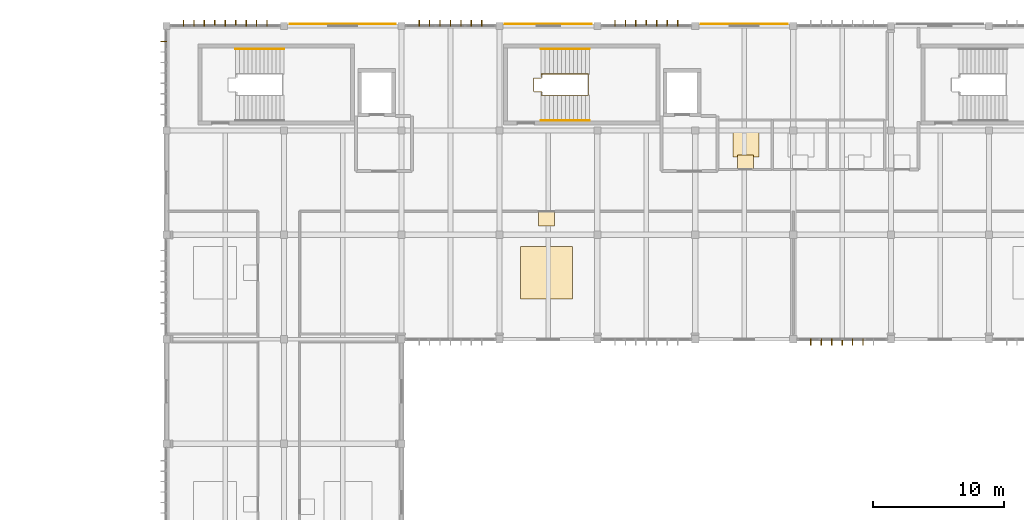
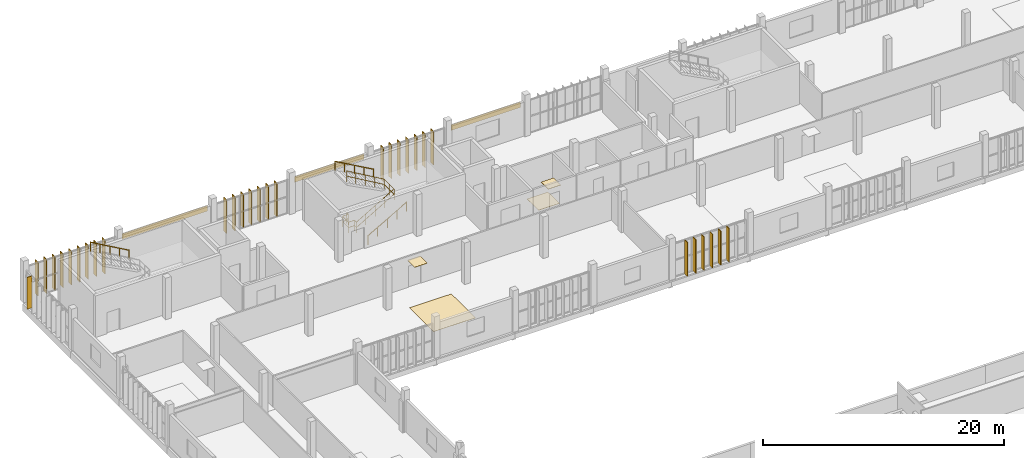
# One storey, part 55 of 61: 30 shading devices, 7 coverings, 5 railings.
"""IFC4 building model written with IfcOpenShell, lengths in metres."""

import ifcopenshell
import ifcopenshell.guid

model = None  # the IFC model being written
_history = None  # IfcOwnerHistory: only IFC2X3 demands one
_inside = {}  # id of a spatial element -> (the spatial element, [elements in it])
_under = {}  # id of a project, library or spatial element -> (it, [spatial elements below it])
_declared = {}  # id of a project -> (the project, [libraries it declares])
_typed = {}  # id of a type object -> (the type object, [elements of that type])
_made_of = {}  # id of a material, layer set ... -> (it, [elements and type objects made of it])


def new_model(schema):
    """Start an empty IFC model of exactly this schema.

    Asked for "IFC4X3", IfcOpenShell would pick the latest addendum, in which some entities
    have other attributes; the version numbers below select the first issue.
    IFC2X3 requires an IfcOwnerHistory on every rooted entity: one is made here for all.
    """
    global model, _history
    if schema == "IFC4X3":
        model = ifcopenshell.file(schema_version=(4, 3, 0, 0))
    else:
        model = ifcopenshell.file(schema=schema)
    _inside.clear()
    _under.clear()
    _declared.clear()
    _typed.clear()
    _made_of.clear()
    _history = None
    if model.schema == "IFC2X3":
        org = make("IfcOrganization", Name="unknown")
        user = make(
            "IfcPersonAndOrganization",
            ThePerson=make("IfcPerson", FamilyName="unknown"),
            TheOrganization=org,
        )
        app = make(
            "IfcApplication",
            ApplicationDeveloper=org,
            Version="unknown",
            ApplicationFullName="unknown",
            ApplicationIdentifier="unknown",
        )
        _history = make(
            "IfcOwnerHistory",
            OwningUser=user,
            OwningApplication=app,
            ChangeAction="ADDED",
            CreationDate=0,
        )
    return model


def make(cls, **values):
    """One entity of the class cls with the attributes given. An attribute that is None is left unset."""
    return model.create_entity(
        cls, **{name: value for name, value in values.items() if value is not None}
    )


def rooted(cls, **values):
    """An entity with a GlobalId (a new one), such as an element, a storey or a relation."""
    return make(cls, GlobalId=ifcopenshell.guid.new(), OwnerHistory=_history, **values)


def si_unit(unit_type, name, prefix=None):
    """IfcSIUnit, for example si_unit("LENGTHUNIT", "METRE", prefix="MILLI")."""
    return make("IfcSIUnit", UnitType=unit_type, Prefix=prefix, Name=name)


def assignment(units):
    """IfcUnitAssignment: the units of a project."""
    return None if units is None else make("IfcUnitAssignment", Units=units)


def point(xyz):
    """IfcCartesianPoint."""
    return None if xyz is None else make("IfcCartesianPoint", Coordinates=xyz)


def direction(xyz):
    """IfcDirection."""
    return None if xyz is None else make("IfcDirection", DirectionRatios=xyz)


def frame(location, z_axis=None, x_axis=None):
    """IfcAxis2Placement3D, a coordinate frame: its origin and axes. An axis left out is left unset."""
    return make(
        "IfcAxis2Placement3D",
        Location=point(location),
        Axis=direction(z_axis),
        RefDirection=direction(x_axis),
    )


def frame_2d(location, x_axis=None):
    """IfcAxis2Placement2D, a coordinate frame in the plane: its origin and x axis."""
    return make(
        "IfcAxis2Placement2D", Location=point(location), RefDirection=direction(x_axis)
    )


def origin():
    """The frame at (0, 0, 0) with its axes left unset."""
    return frame((0.0, 0.0, 0.0))


def origin_2d():
    """The frame at (0, 0) in the plane with its x axis left unset."""
    return frame_2d((0.0, 0.0))


def place(relative_to, where):
    """IfcLocalPlacement: puts the frame where relative to a parent placement (None: the world)."""
    return make(
        "IfcLocalPlacement", PlacementRelTo=relative_to, RelativePlacement=where
    )


def context(
    kind, dimensions, precision=None, world=None, true_north=None, identifier=None
):
    """IfcGeometricRepresentationContext, for example the 3D "Model" context."""
    return make(
        "IfcGeometricRepresentationContext",
        ContextIdentifier=identifier,
        ContextType=kind,
        CoordinateSpaceDimension=dimensions,
        Precision=precision,
        WorldCoordinateSystem=world,
        TrueNorth=true_north,
    )


def subcontext(parent, identifier, kind, view, scale=None):
    """IfcGeometricRepresentationSubContext, for example "Body" below "Model"."""
    return make(
        "IfcGeometricRepresentationSubContext",
        ContextIdentifier=identifier,
        ContextType=kind,
        ParentContext=parent,
        TargetScale=scale,
        TargetView=view,
    )


def project(units=None, contexts=None):
    """IfcProject with its units and contexts."""
    return rooted(
        "IfcProject",
        Name="project",
        RepresentationContexts=contexts,
        UnitsInContext=assignment(units),
    )


def spatial(cls, under=None, at=None, **own):
    """A site, building, storey or space (cls), placed at a placement, below another one or the project."""
    s = rooted(cls, ObjectPlacement=at, **own)
    if under is not None:
        _under.setdefault(under.id(), (under, []))[1].append(s)
    return s


def profile(cls, at=None, kind="AREA", **sizes):
    """A parametric profile (cls). Its sizes go by their IFC names, for example OverallWidth=200.0."""
    return make(cls, ProfileType=kind, Position=at, **sizes)


def rectangle(**sizes):
    """IfcRectangleProfileDef."""
    return profile("IfcRectangleProfileDef", **sizes)


def circle(**sizes):
    """IfcCircleProfileDef."""
    return profile("IfcCircleProfileDef", **sizes)


def extrude(swept, where, along, depth):
    """IfcExtrudedAreaSolid: the profile swept, set in the frame where, extruded along a direction by depth."""
    return make(
        "IfcExtrudedAreaSolid",
        SweptArea=swept,
        Position=where,
        ExtrudedDirection=direction(along),
        Depth=depth,
    )


def shape(context_of_items, identifier, shape_type, items):
    """IfcShapeRepresentation: the items that make up one representation, for example the "Body"."""
    return make(
        "IfcShapeRepresentation",
        ContextOfItems=context_of_items,
        RepresentationIdentifier=identifier,
        RepresentationType=shape_type,
        Items=items,
    )


def material(Name=None, Category=None):
    """IfcMaterial."""
    return make("IfcMaterial", Name=Name, Category=Category)


def layer(
    of_material, thickness, ventilated=None, Name=None, Category=None, Priority=None
):
    """IfcMaterialLayer: one layer of a wall or slab, of a material (None: an air gap)."""
    return make(
        "IfcMaterialLayer",
        Material=of_material,
        LayerThickness=thickness,
        IsVentilated=ventilated,
        Name=Name,
        Category=Category,
        Priority=Priority,
    )


def layer_set(layers, Name=None):
    """IfcMaterialLayerSet."""
    return make("IfcMaterialLayerSet", MaterialLayers=layers, LayerSetName=Name)


def material_profile(
    of_material, cross_section, Name=None, Category=None, Priority=None
):
    """IfcMaterialProfile: a cross section and its material."""
    return make(
        "IfcMaterialProfile",
        Name=Name,
        Material=of_material,
        Profile=cross_section,
        Priority=Priority,
        Category=Category,
    )


def profile_set(profiles, Name=None, composite=None):
    """IfcMaterialProfileSet."""
    return make(
        "IfcMaterialProfileSet",
        Name=Name,
        MaterialProfiles=profiles,
        CompositeProfile=composite,
    )


def made_of(thing, what):
    """Note that an element or type object is made of a material, layer set ...; save() writes the relation."""
    if what is not None:
        _made_of.setdefault(what.id(), (what, []))[1].append(thing)
    return thing


def type_object(cls, material=None, **own):
    """A type object (cls), such as IfcWallType, which elements share."""
    return made_of(rooted(cls, **own), material)


def element(
    cls,
    number,
    at=None,
    inside=None,
    cuts=None,
    type_object=None,
    material=None,
    context=None,
    identifier="Body",
    shape_type=None,
    held_by="IfcProductDefinitionShape",
    body=None,
    shapes=None,
    **own,
):
    """One element of the class cls, such as IfcWall. Its Tag is "e" and its number.

    at: its placement. inside: the storey or other place that contains it. cuts: it is an
    opening in that element (IfcRelVoidsElement). A single representation is given by context,
    identifier, shape_type and body (its items); several are given by shapes. held_by: the class
    of the entity that holds the representations. save() writes the other relations.
    """
    e = rooted(cls, Tag="e%d" % number, ObjectPlacement=at, **own)
    if body is not None:
        shapes = [shape(context, identifier, shape_type, body)]
    if shapes is not None:
        e.Representation = make(held_by, Representations=shapes)
    if inside is not None:
        _inside.setdefault(inside.id(), (inside, []))[1].append(e)
    if cuts is not None:
        rooted(
            "IfcRelVoidsElement", RelatingBuildingElement=cuts, RelatedOpeningElement=e
        )
    if type_object is not None:
        _typed.setdefault(type_object.id(), (type_object, []))[1].append(e)
    return made_of(e, material)


def aggregate(whole, parts):
    """IfcRelAggregates: a whole, such as a stair, and the parts it consists of."""
    return rooted("IfcRelAggregates", RelatingObject=whole, RelatedObjects=parts)


def save(model, path):
    """Write the relations noted so far, then the file.

    IfcRelAggregates (storeys below a building ...), IfcRelContainedInSpatialStructure (elements
    in a storey), IfcRelDefinesByType, IfcRelAssociatesMaterial and IfcRelDeclares: one each for
    every whole, place, type object, material and project.
    """
    for whole, parts in _under.values():
        aggregate(whole, parts)
    for where, things in _inside.values():
        rooted(
            "IfcRelContainedInSpatialStructure",
            RelatedElements=things,
            RelatingStructure=where,
        )
    for kind, things in _typed.values():
        rooted("IfcRelDefinesByType", RelatedObjects=things, RelatingType=kind)
    for what, things in _made_of.values():
        rooted("IfcRelAssociatesMaterial", RelatedObjects=things, RelatingMaterial=what)
    for by, libraries in _declared.values():
        rooted("IfcRelDeclares", RelatingContext=by, RelatedDefinitions=libraries)
    model.write(path)


model = new_model("IFC4")

# Units and contexts
model_context = context("Model", 3, precision=1e-05, world=origin(), true_north=direction((0.0, 1.0)))
body_context = subcontext(model_context, "Body", "Model", "MODEL_VIEW")
ifc_project = project(units=[si_unit("LENGTHUNIT", "METRE"), si_unit("AREAUNIT", "SQUARE_METRE"), si_unit("VOLUMEUNIT", "CUBIC_METRE"), si_unit("PLANEANGLEUNIT", "RADIAN"), si_unit("MASSUNIT", "GRAM", prefix="KILO")], contexts=[model_context])

# Site, building, storey
site_placement = place(None, origin())
site = spatial("IfcSite", under=ifc_project, at=site_placement, CompositionType="ELEMENT")
building_placement = place(site_placement, origin())
building = spatial("IfcBuilding", under=site, at=building_placement, Name="Vourika Railside Aquatics Centre", CompositionType="ELEMENT")
storey_placement = place(building_placement, frame((0.0, 0.0, 9.300048828125)))
storey = spatial("IfcBuildingStorey", under=building, at=storey_placement, Name="L02", CompositionType="ELEMENT", Elevation=9.300048828125)

# Coverings
ifc_material_1 = material(Name="Perforated moisture-resistant acoustic gypsum ceiling")
ifc_layer_1 = layer(ifc_material_1, 0.02490234375, Name="COV-CEIL-25")
ifc_layer_set_1 = layer_set([ifc_layer_1], Name="Perforated moisture-resistant acoustic gypsum ceiling")
covering_type_1 = type_object("IfcCoveringType", Name="COV-CEIL-25", PredefinedType="CEILING", material=ifc_layer_set_1)
for number, where, z_axis, x_axis, name in (
    (1, (62.344970703125, 105.52001953125, 2.637451171875), (0.0, 0.0, 1.0), (1.0, 0.0, 0.0), "Media and Lab Male WC Acoustic Ceiling Panel"),
    (2, (47.10009765625, 101.280029296875, 2.637451171875), (0.0, 0.0, 1.0), (1.0, 0.0, 0.0), "Sports Physiotherapy Rehabilitation Hall Acoustic Ceiling Panel"),
):
    element("IfcCovering", number, at=place(storey_placement, frame(where, z_axis=z_axis, x_axis=x_axis)), inside=storey, type_object=covering_type_1, Name=name, PredefinedType="CEILING", context=body_context, shape_type="SweptSolid", body=[
        extrude(rectangle(XDim=1.199951171875, YDim=1.199951171875, at=origin_2d()), origin(), (0.0, 0.0, 1.0), 0.02490234375),
    ])
ifc_material_2 = material(Name="Bronze-anodized aluminium rainscreen", Category="aluminium")
ifc_layer_2 = layer(ifc_material_2, 0.044921875, Name="COV-CLAD-45")
ifc_layer_set_2 = layer_set([ifc_layer_2], Name="Bronze-anodized aluminium rainscreen")
covering_type_2 = type_object("IfcCoveringType", Name="COV-CLAD-45", PredefinedType="CLADDING", material=ifc_layer_set_2)
covering_1_placement = place(storey_placement, frame((31.5, 116.155029296875, 2.794921875), z_axis=(0.0, 0.0, 1.0), x_axis=(-1.0, 0.0, 0.0)))
element("IfcCovering", 3, at=covering_1_placement, inside=storey, type_object=covering_type_2, Name="Perforated Bronze Rainscreen Band CL-056", PredefinedType="CLADDING", context=body_context, shape_type="SweptSolid", body=[
    extrude(rectangle(XDim=8.14990234375, YDim=0.044921875, at=origin_2d()), origin(), (0.0, 0.0, 1.0), 0.550048828125),
])
for number, where, z_axis, x_axis, name in (
    (4, (47.25, 116.155029296875, 2.794921875), (0.0, 0.0, 1.0), (-1.0, 0.0, 0.0), "Perforated Bronze Rainscreen Band CL-057"),
    (5, (62.25, 116.155029296875, 2.794921875), (0.0, 0.0, 1.0), (-1.0, 0.0, 0.0), "Perforated Bronze Rainscreen Band CL-058"),
):
    element("IfcCovering", number, at=place(storey_placement, frame(where, z_axis=z_axis, x_axis=x_axis)), inside=storey, type_object=covering_type_2, Name=name, PredefinedType="CLADDING", context=body_context, shape_type="SweptSolid", body=[
        extrude(rectangle(XDim=6.64990234375, YDim=0.044921875, at=origin_2d()), origin(), (0.0, 0.0, 1.0), 0.550048828125),
    ])
ifc_material_3 = material(Name="Slip-resistant aqua ceramic sports flooring")
ifc_layer_3 = layer(ifc_material_3, 0.02001953125, Name="COV-FLOR-20")
ifc_layer_set_3 = layer_set([ifc_layer_3], Name="Slip-resistant aqua ceramic sports flooring")
covering_type_3 = type_object("IfcCoveringType", Name="COV-FLOR-20", PredefinedType="FLOORING", material=ifc_layer_set_3)
covering_2_placement = place(storey_placement, frame((62.39990234375, 106.89990234375, 0.0), z_axis=(0.0, 0.0, 1.0), x_axis=(1.0, 0.0, 0.0)))
element("IfcCovering", 6, at=covering_2_placement, inside=storey, type_object=covering_type_3, Name="Media and Lab Male WC Sports Flooring Panel", PredefinedType="FLOORING", context=body_context, shape_type="SweptSolid", body=[
    extrude(rectangle(XDim=2.0, YDim=1.89990234375, at=origin_2d()), origin(), (0.0, 0.0, 1.0), 0.02001953125),
])
covering_3_placement = place(storey_placement, frame((47.10009765625, 97.10009765625, 0.0), z_axis=(0.0, 0.0, 1.0), x_axis=(1.0, 0.0, 0.0)))
element("IfcCovering", 7, at=covering_3_placement, inside=storey, type_object=covering_type_3, Name="Sports Physiotherapy Rehabilitation Hall Sports Flooring Panel", PredefinedType="FLOORING", context=body_context, shape_type="SweptSolid", body=[
    extrude(rectangle(XDim=4.0, YDim=4.0, at=origin_2d()), origin(), (0.0, 0.0, 1.0), 0.02001953125),
])

# Railings
ifc_material_4 = material(Name="Duplex stainless steel EN 1.4462", Category="steel")
railing_type_1 = type_object("IfcRailingType", Name="RL-HAND-920", PredefinedType="HANDRAIL", material=ifc_material_4)
railing_1_placement = place(storey_placement, frame((26.99609375, 114.239990234375, 2.099853515625)))
element("IfcRailing", 8, at=railing_1_placement, inside=storey, type_object=railing_type_1, Name="Protected Exit Stair Core ST01 Upper Wall Handrail (L02)", PredefinedType="HANDRAIL", context=body_context, shape_type="SweptSolid", body=[
    extrude(circle(Radius=0.02392578125, at=origin_2d()), frame((0.0, 0.0, 0.89599609375), z_axis=(-0.869449269089, 0.0, 0.494022234804), x_axis=(0.0, -1.0, 0.0)), (0.0, 0.0, 1.0), 4.2509765625),
    extrude(circle(Radius=0.02099609375, at=origin_2d()), origin(), (0.0, 0.0, 1.0), 0.871826171875),
    extrude(circle(Radius=0.02099609375, at=origin_2d()), frame((-0.924072265625, 0.0, 0.52490234375)), (0.0, 0.0, 1.0), 0.871826171875),
    extrude(circle(Radius=0.02099609375, at=origin_2d()), frame((-1.84814453125, 0.0, 1.050048828125)), (0.0, 0.0, 1.0), 0.871826171875),
    extrude(circle(Radius=0.02099609375, at=origin_2d()), frame((-2.77197265625, 0.0, 1.5751953125)), (0.0, 0.0, 1.0), 0.871826171875),
    extrude(circle(Radius=0.02099609375, at=origin_2d()), frame((-3.696044921875, 0.0, 2.10009765625)), (0.0, 0.0, 1.0), 0.871826171875),
])
railing_2_placement = place(storey_placement, frame((46.699951171875, 108.760009765625, 0.0)))
element("IfcRailing", 9, at=railing_2_placement, inside=storey, type_object=railing_type_1, Name="Protected Exit Stair Core ST02 Lower Wall Handrail (L02)", PredefinedType="HANDRAIL", context=body_context, shape_type="SweptSolid", body=[
    extrude(circle(Radius=0.02392578125, at=origin_2d()), frame((0.0, 0.0, 0.89599609375), z_axis=(0.869473936924, 0.0, 0.493978818382), x_axis=(0.0, 1.0, 0.0)), (0.0, 0.0, 1.0), 4.2509765625),
    extrude(circle(Radius=0.02099609375, at=origin_2d()), origin(), (0.0, 0.0, 1.0), 0.871826171875),
    extrude(circle(Radius=0.02099609375, at=origin_2d()), frame((0.924072265625, 0.0, 0.52490234375)), (0.0, 0.0, 1.0), 0.871826171875),
    extrude(circle(Radius=0.02099609375, at=origin_2d()), frame((1.84814453125, 0.0, 1.0498046875)), (0.0, 0.0, 1.0), 0.871826171875),
    extrude(circle(Radius=0.02099609375, at=origin_2d()), frame((2.77197265625, 0.0, 1.574951171875)), (0.0, 0.0, 1.0), 0.871826171875),
    extrude(circle(Radius=0.02099609375, at=origin_2d()), frame((3.696044921875, 0.0, 2.099853515625)), (0.0, 0.0, 1.0), 0.871826171875),
])
railing_3_placement = place(storey_placement, frame((50.39599609375, 114.239990234375, 2.099853515625)))
element("IfcRailing", 10, at=railing_3_placement, inside=storey, type_object=railing_type_1, Name="Protected Exit Stair Core ST02 Upper Wall Handrail (L02)", PredefinedType="HANDRAIL", context=body_context, shape_type="SweptSolid", body=[
    extrude(circle(Radius=0.02392578125, at=origin_2d()), frame((0.0, 0.0, 0.89599609375), z_axis=(-0.869449269089, 0.0, 0.494022234804), x_axis=(0.0, -1.0, 0.0)), (0.0, 0.0, 1.0), 4.2509765625),
    extrude(circle(Radius=0.02099609375, at=origin_2d()), origin(), (0.0, 0.0, 1.0), 0.871826171875),
    extrude(circle(Radius=0.02099609375, at=origin_2d()), frame((-0.924072265625, 0.0, 0.52490234375)), (0.0, 0.0, 1.0), 0.871826171875),
    extrude(circle(Radius=0.02099609375, at=origin_2d()), frame((-1.84814453125, 0.0, 1.050048828125)), (0.0, 0.0, 1.0), 0.871826171875),
    extrude(circle(Radius=0.02099609375, at=origin_2d()), frame((-2.77197265625, 0.0, 1.5751953125)), (0.0, 0.0, 1.0), 0.871826171875),
    extrude(circle(Radius=0.02099609375, at=origin_2d()), frame((-3.696044921875, 0.0, 2.10009765625)), (0.0, 0.0, 1.0), 0.871826171875),
])
railing_type_2 = type_object("IfcRailingType", Name="RL-STAIR-1120", PredefinedType="BALUSTRADE", material=ifc_material_4)
railing_4_placement = place(storey_placement, frame((46.699951171875, 110.75, 0.0)))
element("IfcRailing", 11, at=railing_4_placement, inside=storey, type_object=railing_type_2, Name="Protected Exit Stair Core ST02 Well Edge Guard (L02)", PredefinedType="BALUSTRADE", context=body_context, shape_type="SweptSolid", body=[
    extrude(circle(Radius=0.02392578125, at=origin_2d()), frame((0.0, 0.0, 1.09619140625), z_axis=(0.0, 1.0, 0.0), x_axis=(-1.0, 0.0, 0.0)), (0.0, 0.0, 1.0), 0.25),
    extrude(circle(Radius=0.02392578125, at=origin_2d()), frame((0.0, 0.0, 0.56005859375), z_axis=(0.0, 1.0, 0.0), x_axis=(-1.0, 0.0, 0.0)), (0.0, 0.0, 1.0), 0.25),
    extrude(circle(Radius=0.02392578125, at=origin_2d()), frame((0.0, 0.25, 1.09619140625), z_axis=(-1.0, 0.0, 0.0), x_axis=(0.0, -1.0, 0.0)), (0.0, 0.0, 1.0), 0.570068359375),
    extrude(circle(Radius=0.02392578125, at=origin_2d()), frame((0.0, 0.25, 0.56005859375), z_axis=(-1.0, 0.0, 0.0), x_axis=(0.0, -1.0, 0.0)), (0.0, 0.0, 1.0), 0.570068359375),
    extrude(circle(Radius=0.02392578125, at=origin_2d()), frame((-0.570068359375, 0.25, 1.09619140625), z_axis=(0.0, 1.0, 0.0), x_axis=(-1.0, 0.0, 0.0)), (0.0, 0.0, 1.0), 1.0),
    extrude(circle(Radius=0.02392578125, at=origin_2d()), frame((-0.570068359375, 0.25, 0.56005859375), z_axis=(0.0, 1.0, 0.0), x_axis=(-1.0, 0.0, 0.0)), (0.0, 0.0, 1.0), 1.0),
    extrude(circle(Radius=0.02392578125, at=origin_2d()), frame((-0.570068359375, 1.25, 1.09619140625), z_axis=(1.0, 0.0, 0.0), x_axis=(0.0, 1.0, 0.0)), (0.0, 0.0, 1.0), 0.570068359375),
    extrude(circle(Radius=0.02392578125, at=origin_2d()), frame((-0.570068359375, 1.25, 0.56005859375), z_axis=(1.0, 0.0, 0.0), x_axis=(0.0, 1.0, 0.0)), (0.0, 0.0, 1.0), 0.570068359375),
    extrude(circle(Radius=0.02392578125, at=origin_2d()), frame((0.0, 1.25, 1.09619140625), z_axis=(0.0, 1.0, 0.0), x_axis=(-1.0, 0.0, 0.0)), (0.0, 0.0, 1.0), 0.25),
    extrude(circle(Radius=0.02392578125, at=origin_2d()), frame((0.0, 1.25, 0.56005859375), z_axis=(0.0, 1.0, 0.0), x_axis=(-1.0, 0.0, 0.0)), (0.0, 0.0, 1.0), 0.25),
    extrude(circle(Radius=0.02099609375, at=origin_2d()), origin(), (0.0, 0.0, 1.0), 1.072021484375),
    extrude(circle(Radius=0.02099609375, at=origin_2d()), frame((0.0, 0.25, 0.0)), (0.0, 0.0, 1.0), 1.072021484375),
    extrude(circle(Radius=0.02099609375, at=origin_2d()), frame((-0.570068359375, 0.25, 0.0)), (0.0, 0.0, 1.0), 1.072021484375),
    extrude(circle(Radius=0.02099609375, at=origin_2d()), frame((-0.570068359375, 1.25, 0.0)), (0.0, 0.0, 1.0), 1.072021484375),
    extrude(circle(Radius=0.02099609375, at=origin_2d()), frame((0.0, 1.25, 0.0)), (0.0, 0.0, 1.0), 1.072021484375),
    extrude(circle(Radius=0.02099609375, at=origin_2d()), frame((0.0, 1.5, 0.0)), (0.0, 0.0, 1.0), 1.072021484375),
])
railing_5_placement = place(storey_placement, frame((46.699951171875, 110.679931640625, 0.0)))
element("IfcRailing", 12, at=railing_5_placement, inside=storey, type_object=railing_type_2, Name="Protected Exit Stair Core ST02 Center Well Guard (L02)", PredefinedType="BALUSTRADE", context=body_context, shape_type="SweptSolid", body=[
    extrude(circle(Radius=0.02392578125, at=origin_2d()), frame((0.0, 0.0, 1.09619140625), z_axis=(0.863547027374, 0.0, 0.504268313018), x_axis=(0.0, 1.0, 0.0)), (0.0, 0.0, 1.0), 4.1640625),
    extrude(circle(Radius=0.02392578125, at=origin_2d()), frame((0.0, 0.0, 0.56005859375), z_axis=(0.863547027374, 0.0, 0.504268313018), x_axis=(0.0, 1.0, 0.0)), (0.0, 0.0, 1.0), 4.1640625),
    extrude(circle(Radius=0.02392578125, at=origin_2d()), frame((3.595947265625, 0.0, 3.19580078125), z_axis=(0.0, 1.0, 0.0), x_axis=(-1.0, 0.0, 0.0)), (0.0, 0.0, 1.0), 1.64013671875),
    extrude(circle(Radius=0.02392578125, at=origin_2d()), frame((3.595947265625, 0.0, 2.659912109375), z_axis=(0.0, 1.0, 0.0), x_axis=(-1.0, 0.0, 0.0)), (0.0, 0.0, 1.0), 1.64013671875),
    extrude(circle(Radius=0.02392578125, at=origin_2d()), frame((3.595947265625, 1.64013671875, 3.19580078125), z_axis=(-0.863521496458, 0.0, 0.504312031539), x_axis=(0.0, -1.0, 0.0)), (0.0, 0.0, 1.0), 4.164306640625),
    extrude(circle(Radius=0.02392578125, at=origin_2d()), frame((3.595947265625, 1.64013671875, 2.659912109375), z_axis=(-0.863521496458, 0.0, 0.504312031539), x_axis=(0.0, -1.0, 0.0)), (0.0, 0.0, 1.0), 4.164306640625),
    extrude(circle(Radius=0.02099609375, at=origin_2d()), origin(), (0.0, 0.0, 1.0), 1.072021484375),
    extrude(circle(Radius=0.02099609375, at=origin_2d()), frame((0.89892578125, 0.0, 0.52490234375)), (0.0, 0.0, 1.0), 1.072021484375),
    extrude(circle(Radius=0.02099609375, at=origin_2d()), frame((1.7978515625, 0.0, 1.0498046875)), (0.0, 0.0, 1.0), 1.072021484375),
    extrude(circle(Radius=0.02099609375, at=origin_2d()), frame((2.697021484375, 0.0, 1.574951171875)), (0.0, 0.0, 1.0), 1.072021484375),
    extrude(circle(Radius=0.02099609375, at=origin_2d()), frame((3.595947265625, 0.0, 2.099853515625)), (0.0, 0.0, 1.0), 1.072021484375),
    extrude(circle(Radius=0.02099609375, at=origin_2d()), frame((3.595947265625, 0.820068359375, 2.099853515625)), (0.0, 0.0, 1.0), 1.072021484375),
    extrude(circle(Radius=0.02099609375, at=origin_2d()), frame((3.595947265625, 1.64013671875, 2.099853515625)), (0.0, 0.0, 1.0), 1.072021484375),
    extrude(circle(Radius=0.02099609375, at=origin_2d()), frame((2.697021484375, 1.64013671875, 2.625)), (0.0, 0.0, 1.0), 1.072021484375),
    extrude(circle(Radius=0.02099609375, at=origin_2d()), frame((1.7978515625, 1.64013671875, 3.14990234375)), (0.0, 0.0, 1.0), 1.072021484375),
    extrude(circle(Radius=0.02099609375, at=origin_2d()), frame((0.89892578125, 1.64013671875, 3.6748046875)), (0.0, 0.0, 1.0), 1.072021484375),
    extrude(circle(Radius=0.02099609375, at=origin_2d()), frame((0.0, 1.64013671875, 4.199951171875)), (0.0, 0.0, 1.0), 1.072021484375),
])

# Shading devices
ifc_material_5 = material(Name="Bronze-anodized extruded aluminium", Category="aluminium")
ifc_material_profile = material_profile(ifc_material_5, rectangle(XDim=0.06005859375, YDim=0.47998046875, at=origin_2d()), Name="ALU-FIN 60x480")
ifc_profile_set = profile_set([ifc_material_profile], Name="Bronze-anodized extruded aluminium")
shading_device_type = type_object("IfcShadingDeviceType", Name="SHD-FIN-F48A", PredefinedType="USERDEFINED", material=ifc_profile_set)
for number, where, z_axis, x_axis, name in (
    (13, (19.300048828125, 116.215087890625, 0.0), (0.0, 0.0, 1.0), (1.0, 0.0, 0.0), "Vertical Solar Fin VSF-0864"),
    (14, (20.10009765625, 116.215087890625, 0.0), (0.0, 0.0, 1.0), (1.0, 0.0, 0.0), "Vertical Solar Fin VSF-0865"),
    (15, (20.89990234375, 116.215087890625, 0.0), (0.0, 0.0, 1.0), (1.0, 0.0, 0.0), "Vertical Solar Fin VSF-0866"),
    (16, (21.699951171875, 116.215087890625, 0.0), (0.0, 0.0, 1.0), (1.0, 0.0, 0.0), "Vertical Solar Fin VSF-0867"),
    (17, (22.5, 116.215087890625, 0.0), (0.0, 0.0, 1.0), (1.0, 0.0, 0.0), "Vertical Solar Fin VSF-0868"),
    (18, (23.300048828125, 116.215087890625, 0.0), (0.0, 0.0, 1.0), (1.0, 0.0, 0.0), "Vertical Solar Fin VSF-0869"),
    (19, (24.10009765625, 116.215087890625, 0.0), (0.0, 0.0, 1.0), (1.0, 0.0, 0.0), "Vertical Solar Fin VSF-0870"),
    (20, (24.89990234375, 116.215087890625, 0.0), (0.0, 0.0, 1.0), (1.0, 0.0, 0.0), "Vertical Solar Fin VSF-0871"),
    (21, (25.699951171875, 116.215087890625, 0.0), (0.0, 0.0, 1.0), (1.0, 0.0, 0.0), "Vertical Solar Fin VSF-0872"),
    (22, (37.35009765625, 116.215087890625, 0.0), (0.0, 0.0, 1.0), (1.0, 0.0, 0.0), "Vertical Solar Fin VSF-0873"),
    (23, (38.14990234375, 116.215087890625, 0.0), (0.0, 0.0, 1.0), (1.0, 0.0, 0.0), "Vertical Solar Fin VSF-0874"),
    (24, (38.949951171875, 116.215087890625, 0.0), (0.0, 0.0, 1.0), (1.0, 0.0, 0.0), "Vertical Solar Fin VSF-0875"),
    (25, (39.75, 116.215087890625, 0.0), (0.0, 0.0, 1.0), (1.0, 0.0, 0.0), "Vertical Solar Fin VSF-0876"),
    (26, (40.550048828125, 116.215087890625, 0.0), (0.0, 0.0, 1.0), (1.0, 0.0, 0.0), "Vertical Solar Fin VSF-0877"),
    (27, (41.35009765625, 116.215087890625, 0.0), (0.0, 0.0, 1.0), (1.0, 0.0, 0.0), "Vertical Solar Fin VSF-0878"),
    (28, (42.14990234375, 116.215087890625, 0.0), (0.0, 0.0, 1.0), (1.0, 0.0, 0.0), "Vertical Solar Fin VSF-0879"),
    (29, (52.35009765625, 116.215087890625, 0.0), (0.0, 0.0, 1.0), (1.0, 0.0, 0.0), "Vertical Solar Fin VSF-0880"),
    (30, (53.14990234375, 116.215087890625, 0.0), (0.0, 0.0, 1.0), (1.0, 0.0, 0.0), "Vertical Solar Fin VSF-0881"),
    (31, (53.949951171875, 116.215087890625, 0.0), (0.0, 0.0, 1.0), (1.0, 0.0, 0.0), "Vertical Solar Fin VSF-0882"),
    (32, (54.75, 116.215087890625, 0.0), (0.0, 0.0, 1.0), (1.0, 0.0, 0.0), "Vertical Solar Fin VSF-0883"),
    (33, (55.550048828125, 116.215087890625, 0.0), (0.0, 0.0, 1.0), (1.0, 0.0, 0.0), "Vertical Solar Fin VSF-0884"),
    (34, (56.35009765625, 116.215087890625, 0.0), (0.0, 0.0, 1.0), (1.0, 0.0, 0.0), "Vertical Solar Fin VSF-0885"),
    (35, (57.14990234375, 116.215087890625, 0.0), (0.0, 0.0, 1.0), (1.0, 0.0, 0.0), "Vertical Solar Fin VSF-0886"),
    (36, (67.35009765625, 91.784912109375, 0.0), (0.0, 0.0, 1.0), (-1.0, 0.0, 0.0), "Vertical Solar Fin VSF-0936"),
    (37, (68.14990234375, 91.784912109375, 0.0), (0.0, 0.0, 1.0), (-1.0, 0.0, 0.0), "Vertical Solar Fin VSF-0937"),
    (38, (68.949951171875, 91.784912109375, 0.0), (0.0, 0.0, 1.0), (-1.0, 0.0, 0.0), "Vertical Solar Fin VSF-0938"),
    (39, (69.75, 91.784912109375, 0.0), (0.0, 0.0, 1.0), (-1.0, 0.0, 0.0), "Vertical Solar Fin VSF-0939"),
    (40, (70.550048828125, 91.784912109375, 0.0), (0.0, 0.0, 1.0), (-1.0, 0.0, 0.0), "Vertical Solar Fin VSF-0940"),
    (41, (71.35009765625, 91.784912109375, 0.0), (0.0, 0.0, 1.0), (-1.0, 0.0, 0.0), "Vertical Solar Fin VSF-0941"),
):
    element("IfcShadingDevice", number, at=place(storey_placement, frame(where, z_axis=z_axis, x_axis=x_axis)), inside=storey, type_object=shading_device_type, Name=name, ObjectType="FIN", PredefinedType="USERDEFINED", context=body_context, shape_type="SweptSolid", body=[
        extrude(rectangle(XDim=0.06005859375, YDim=0.47998046875, at=origin_2d()), origin(), (0.0, 0.0, 1.0), 3.419921875),
    ])
shading_device_placement = place(storey_placement, frame((17.784912109375, 114.800048828125, 0.0), z_axis=(0.0, 0.0, 1.0), x_axis=(0.0, 1.0, 0.0)))
element("IfcShadingDevice", 42, at=shading_device_placement, inside=storey, type_object=shading_device_type, Name="Vertical Solar Fin VSF-1003", ObjectType="FIN", PredefinedType="USERDEFINED", context=body_context, shape_type="SweptSolid", body=[
    extrude(rectangle(XDim=0.06005859375, YDim=0.47998046875, at=origin_2d()), origin(), (0.0, 0.0, 1.0), 3.219970703125),
])

save(model, "model.ifc")
